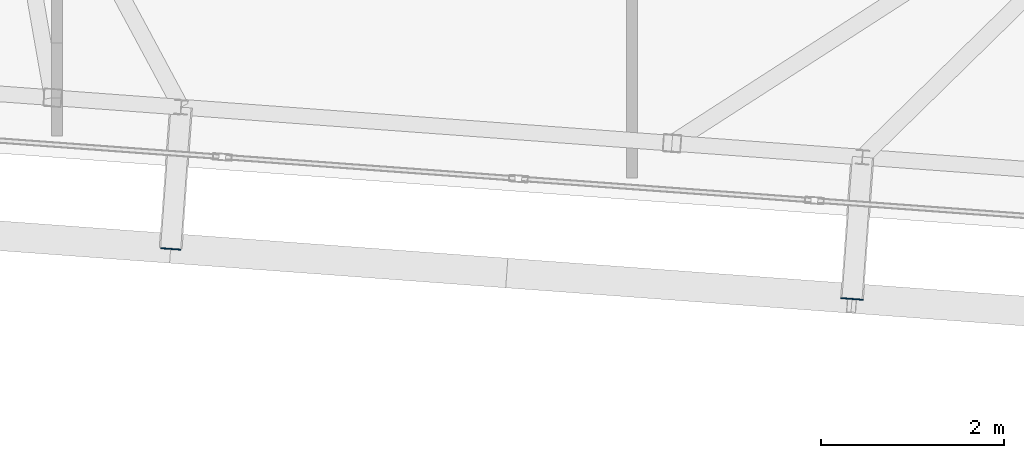
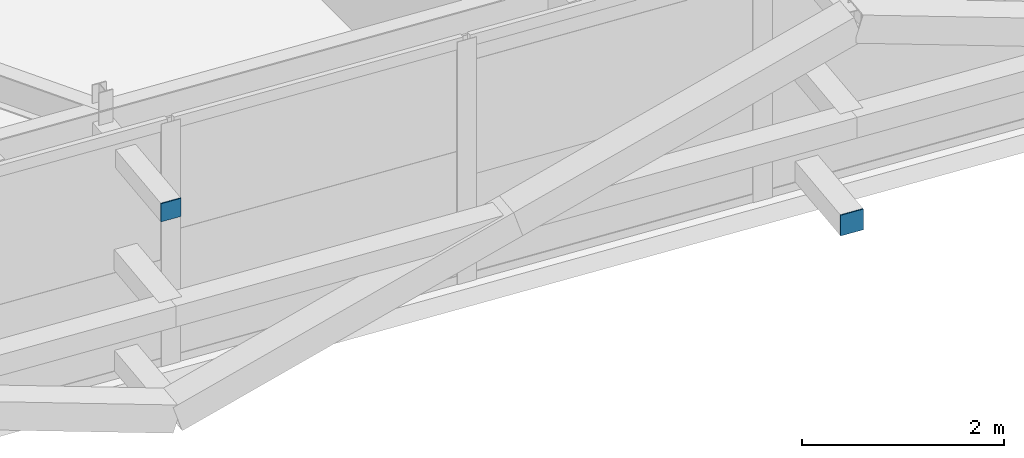
# One storey, part 32 of 42: 2 plates.
"""IFC4 building model written with IfcOpenShell, lengths in metres."""

from ifc_helpers import new_model, si_unit, direction, frame, origin, origin_2d, place, context, subcontext, project, spatial, rectangle, extrude, source, transform, mapped, material, layer, layer_set, type_object, element, save


model = new_model("IFC4")

# Units and contexts
model_context = context("Model", 3, precision=1e-05, world=origin(), true_north=direction((0.0, 1.0)))
body_context = subcontext(model_context, "Body", "Model", "MODEL_VIEW")
ifc_project = project(units=[si_unit("LENGTHUNIT", "METRE"), si_unit("AREAUNIT", "SQUARE_METRE"), si_unit("VOLUMEUNIT", "CUBIC_METRE"), si_unit("PLANEANGLEUNIT", "RADIAN"), si_unit("MASSUNIT", "GRAM", prefix="KILO")], contexts=[model_context])

# Site, building, storey
site_placement = place(None, origin())
site = spatial("IfcSite", under=ifc_project, at=site_placement, CompositionType="ELEMENT")
building_placement = place(site_placement, origin())
building = spatial("IfcBuilding", under=site, at=building_placement, Name="Taldren Reach Tower", CompositionType="ELEMENT")
storey_placement = place(building_placement, frame((0.0, 0.0, 224.0)))
storey = spatial("IfcBuildingStorey", under=building, at=storey_placement, Name="L68", CompositionType="ELEMENT", Elevation=224.0)

# Plates
ifc_material_1 = material(Name="Steel Gr 350 (C350L0)", Category="steel")
ifc_layer_1 = layer(ifc_material_1, 0.011962890625)
ifc_layer_set_1 = layer_set([ifc_layer_1], Name="Steel Gr 350 (C350L0)")
plate_type_1 = type_object("IfcPlateType", Name="PL-CAP-250", PredefinedType="SHEET", material=ifc_layer_set_1)
shared_shape_1 = source(origin(), body_context, "Body", "SweptSolid", [
    extrude(rectangle(XDim=0.25, YDim=0.011962890625, at=origin_2d()), origin(), (0.0, 0.0, 1.0), 0.25),
])
plate_1_placement = place(storey_placement, frame((37.406494140625, 3.264892578125, 0.094970703125), z_axis=(0.0, 0.0, 1.0), x_axis=(0.997314477224, -0.073238197128, 0.0)))
element("IfcPlate", 1, at=plate_1_placement, inside=storey, type_object=plate_type_1, Name="Tie strut end cap plate B5-S4 L68", PredefinedType="SHEET", context=body_context, shape_type="MappedRepresentation", body=[
    mapped(shared_shape_1, transform((0.0, 0.0, 0.0), scale=1.0)),
])
ifc_material_2 = material(Name="Steel Gr 450 (C450L0)", Category="steel")
ifc_layer_2 = layer(ifc_material_2, 0.011962890625)
ifc_layer_set_2 = layer_set([ifc_layer_2], Name="Steel Gr 450 (C450L0)")
plate_type_2 = type_object("IfcPlateType", Name="PL-CAP-220", PredefinedType="SHEET", material=ifc_layer_set_2)
shared_shape_2 = source(origin(), body_context, "Body", "SweptSolid", [
    extrude(rectangle(XDim=0.219970703125, YDim=0.011962890625, at=origin_2d()), origin(), (0.0, 0.0, 1.0), 0.219970703125),
])
plate_2_placement = place(storey_placement, frame((29.946533203125, 3.812744140625, 2.5400390625), z_axis=(0.0, 0.0, 1.0), x_axis=(0.997314477224, -0.073238197128, 0.0)))
element("IfcPlate", 2, at=plate_2_placement, inside=storey, type_object=plate_type_2, Name="Tie strut end cap plate B5-S3 L68", PredefinedType="SHEET", context=body_context, shape_type="MappedRepresentation", body=[
    mapped(shared_shape_2, transform((0.0, 0.0, 0.0), scale=1.0)),
])

save(model, "model.ifc")
